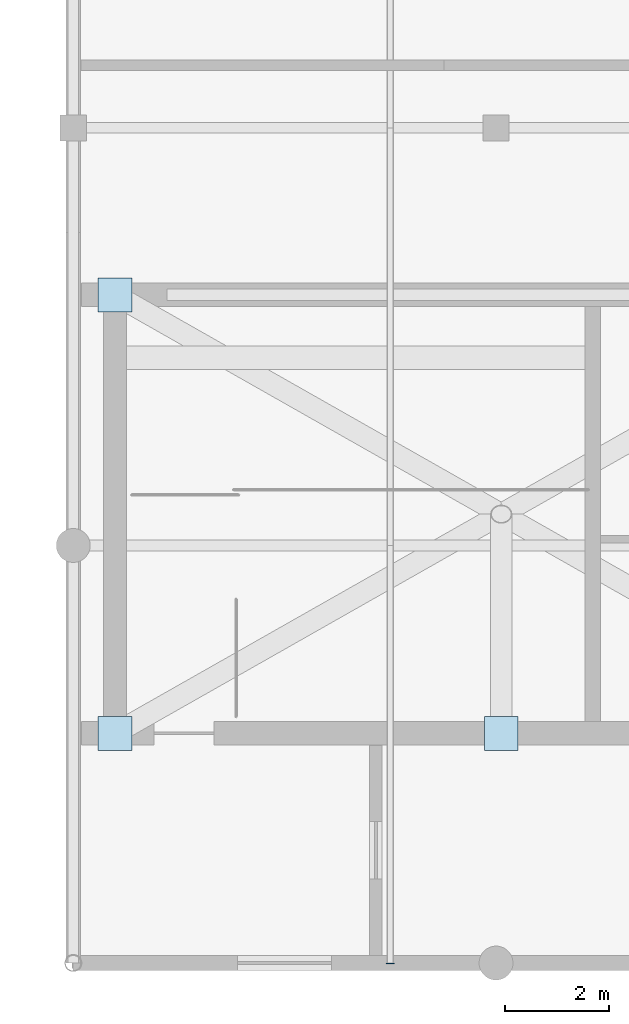
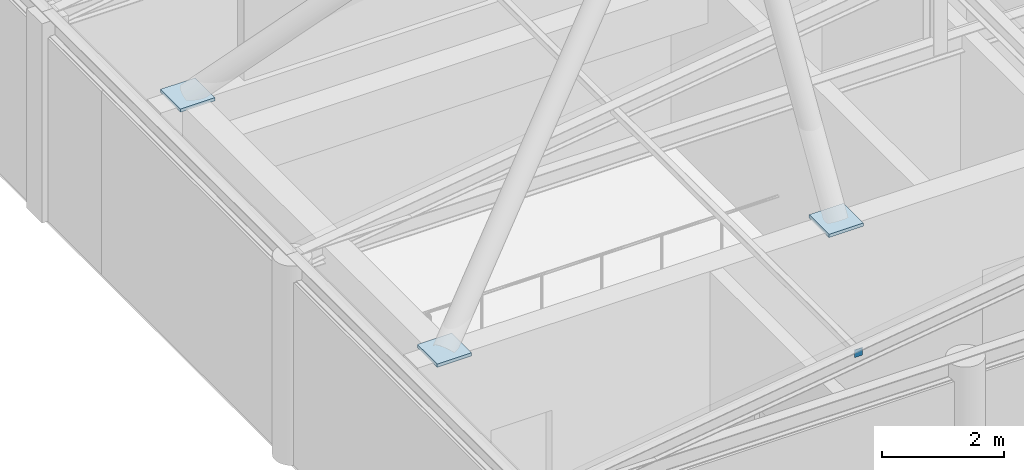
# One storey, part 14 of 21: 4 plates.
"""IFC4 building model written with IfcOpenShell, lengths in metres."""

from ifc_helpers import new_model, si_unit, direction, frame, origin, origin_2d, place, context, subcontext, project, spatial, rectangle, extrude, material, layer, layer_set, type_object, element, save


model = new_model("IFC4")

# Units and contexts
model_context = context("Model", 3, precision=1e-05, world=origin(), true_north=direction((0.0, 1.0)))
body_context = subcontext(model_context, "Body", "Model", "MODEL_VIEW")
ifc_project = project(units=[si_unit("LENGTHUNIT", "METRE"), si_unit("AREAUNIT", "SQUARE_METRE"), si_unit("VOLUMEUNIT", "CUBIC_METRE"), si_unit("PLANEANGLEUNIT", "RADIAN"), si_unit("MASSUNIT", "GRAM", prefix="KILO")], contexts=[model_context])

# Site, building, storey
site_placement = place(None, origin())
site = spatial("IfcSite", under=ifc_project, at=site_placement, CompositionType="ELEMENT")
building_placement = place(site_placement, origin())
building = spatial("IfcBuilding", under=site, at=building_placement, Name="Tarnveldt Square Police Headquarters", CompositionType="ELEMENT")
storey_placement = place(building_placement, frame((0.0, 0.0, 33.300048828125)))
storey = spatial("IfcBuildingStorey", under=building, at=storey_placement, Name="L07", CompositionType="ELEMENT", Elevation=33.300048828125)

# Plates
ifc_material = material(Name="Steel 350W", Category="steel")
ifc_layer_1 = layer(ifc_material, 0.06396484375)
ifc_layer_set_1 = layer_set([ifc_layer_1], Name="Steel 350W")
plate_type_1 = type_object("IfcPlateType", Name="PLT-BASE-64", PredefinedType="USERDEFINED", material=ifc_layer_set_1)
for number, where, z_axis, x_axis, name in (
    (1, (17.0, 60.39990234375, 3.947998046875), (0.0, 0.0, 1.0), (1.0, 0.0, 0.0), "Roof Radio Mast RM1 Base Plate BP-RM1.1 on Core K1"),
    (2, (17.0, 68.800048828125, 3.947998046875), (0.0, 0.0, 1.0), (1.0, 0.0, 0.0), "Roof Radio Mast RM1 Base Plate BP-RM1.3 on Core K1"),
    (3, (24.39990234375, 60.39990234375, 3.947998046875), (0.0, 0.0, 1.0), (1.0, 0.0, 0.0), "Roof Radio Mast RM1 Base Plate BP-RM1.5 on Core K1"),
):
    element("IfcPlate", number, at=place(storey_placement, frame(where, z_axis=z_axis, x_axis=x_axis)), inside=storey, type_object=plate_type_1, Name=name, ObjectType="BASE PLATE", PredefinedType="USERDEFINED", context=body_context, shape_type="SweptSolid", body=[
        extrude(rectangle(XDim=0.64990234375, YDim=0.64990234375, at=origin_2d()), origin(), (0.0, 0.0, 1.0), 0.06396484375),
    ])
ifc_layer_2 = layer(ifc_material, 0.011962890625)
ifc_layer_set_2 = layer_set([ifc_layer_2], Name="Steel 350W")
plate_type_2 = type_object("IfcPlateType", Name="PLT-CAP-12B", PredefinedType="USERDEFINED", material=ifc_layer_set_2)
plate_placement = place(storey_placement, frame((22.27490234375, 55.993896484375, 4.68505859375), z_axis=(0.0, 0.0, 1.0), x_axis=(1.0, 0.0, 0.0)))
element("IfcPlate", 4, at=plate_placement, inside=storey, type_object=plate_type_2, Name="L07 Pitched Roof Purlin W South End Cap Plate", ObjectType="END CAP PLATE", PredefinedType="USERDEFINED", context=body_context, shape_type="SweptSolid", body=[
    extrude(rectangle(XDim=0.14990234375, YDim=0.011962890625, at=origin_2d()), origin(), (0.0, 0.0, 1.0), 0.14990234375),
])

save(model, "model.ifc")
